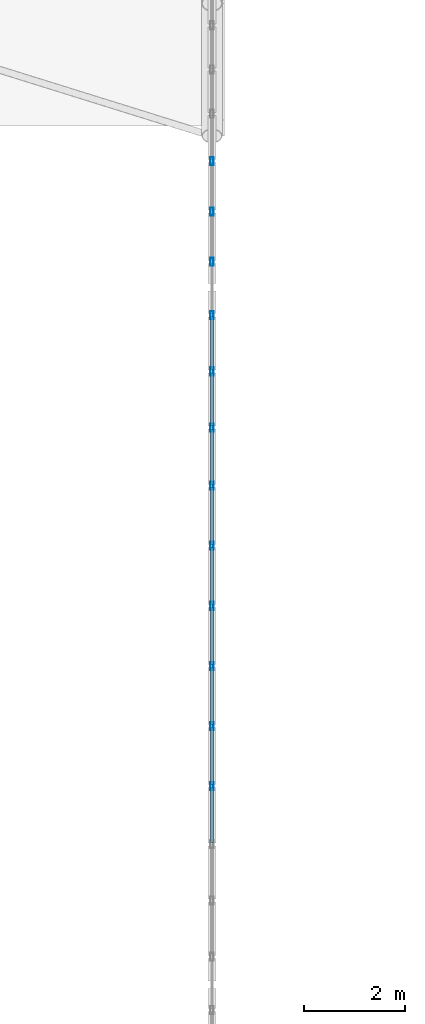
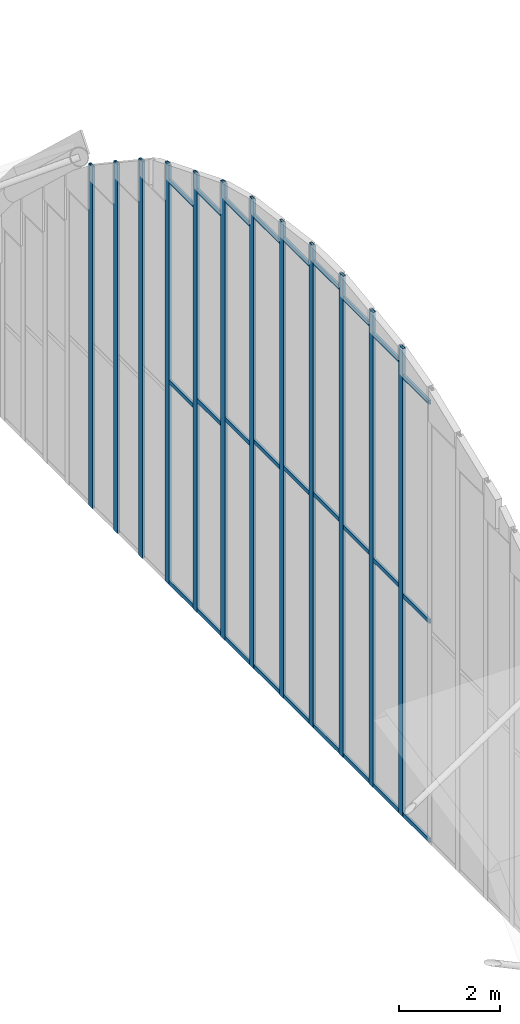
# One storey, part 25 of 77: 39 members, 1 element without a shape of its own.
"""IFC4 building model written with IfcOpenShell, lengths in metres."""

from ifc_helpers import new_model, si_unit, direction, frame, origin, origin_2d, place, context, subcontext, project, spatial, hollow_rectangle, extrude, material, material_profile, profile_set, type_object, element, aggregate, save


model = new_model("IFC4")

# Units and contexts
model_context = context("Model", 3, precision=1e-05, world=origin(), true_north=direction((0.0, 1.0)))
body_context = subcontext(model_context, "Body", "Model", "MODEL_VIEW")
ifc_project = project(units=[si_unit("LENGTHUNIT", "METRE"), si_unit("AREAUNIT", "SQUARE_METRE"), si_unit("VOLUMEUNIT", "CUBIC_METRE"), si_unit("PLANEANGLEUNIT", "RADIAN"), si_unit("MASSUNIT", "GRAM", prefix="KILO")], contexts=[model_context])

# Site, building, storey
site_placement = place(None, origin())
site = spatial("IfcSite", under=ifc_project, at=site_placement, CompositionType="ELEMENT")
building_placement = place(site_placement, origin())
building = spatial("IfcBuilding", under=site, at=building_placement, Name="Catenary Quay Ferry Terminal", CompositionType="ELEMENT")
storey_placement = place(building_placement, frame((0.0, 0.0, 10.800048828125)))
storey = spatial("IfcBuildingStorey", under=building, at=storey_placement, Name="L02", CompositionType="ELEMENT", Elevation=10.800048828125)

# Curtain wall, members
ifc_material_1 = material(Name="Aluminium and glass", Category="aluminium")
curtain_wall_type = type_object("IfcCurtainWallType", Name="CWA", PredefinedType="NOTDEFINED", material=ifc_material_1)
curtain_wall_placement = place(storey_placement, origin())
curtain_wall = element("IfcCurtainWall", 1, at=curtain_wall_placement, inside=storey, type_object=curtain_wall_type, Name="Arch departure hall curtain wall CW21", PredefinedType="NOTDEFINED")
ifc_material_2 = material(Name="Aluminium", Category="aluminium")
ifc_material_profile_1 = material_profile(ifc_material_2, hollow_rectangle(XDim=0.06005859375, YDim=0.159912109375, WallThickness=0.006103515625, at=origin_2d()), Name="MU5")
ifc_profile_set_1 = profile_set([ifc_material_profile_1], Name="Aluminium")
member_type_1 = type_object("IfcMemberType", Name="MU5", PredefinedType="MULLION", material=ifc_profile_set_1)
member_1_placement = place(storey_placement, frame((92.39990234375, 123.0341796875, 0.0), z_axis=(0.0, 0.0, 1.0), x_axis=(-1.0, 0.0, 0.0)))
member_1 = element("IfcMember", 2, at=member_1_placement, type_object=member_type_1, Name="CW21 mullion 15", PredefinedType="MULLION", context=body_context, shape_type="SweptSolid", body=[
    extrude(hollow_rectangle(XDim=0.06005859375, YDim=0.159912109375, WallThickness=0.006103515625, at=origin_2d()), origin(), (0.0, 0.0, 1.0), 11.38330078125),
])
member_2_placement = place(storey_placement, frame((92.39990234375, 124.220458984375, 0.0), z_axis=(0.0, 0.0, 1.0), x_axis=(-1.0, 0.0, 0.0)))
member_2 = element("IfcMember", 3, at=member_2_placement, type_object=member_type_1, Name="CW21 mullion 16", PredefinedType="MULLION", context=body_context, shape_type="SweptSolid", body=[
    extrude(hollow_rectangle(XDim=0.06005859375, YDim=0.159912109375, WallThickness=0.006103515625, at=origin_2d()), origin(), (0.0, 0.0, 1.0), 11.5419921875),
])
member_3_placement = place(storey_placement, frame((92.39990234375, 125.40673828125, 0.0), z_axis=(0.0, 0.0, 1.0), x_axis=(-1.0, 0.0, 0.0)))
member_3 = element("IfcMember", 4, at=member_3_placement, type_object=member_type_1, Name="CW21 mullion 17", PredefinedType="MULLION", context=body_context, shape_type="SweptSolid", body=[
    extrude(hollow_rectangle(XDim=0.06005859375, YDim=0.159912109375, WallThickness=0.006103515625, at=origin_2d()), origin(), (0.0, 0.0, 1.0), 11.70068359375),
])
member_4_placement = place(storey_placement, frame((92.39990234375, 126.59326171875, 0.0), z_axis=(0.0, 0.0, 1.0), x_axis=(-1.0, 0.0, 0.0)))
member_4 = element("IfcMember", 5, at=member_4_placement, type_object=member_type_1, Name="CW21 mullion 18", PredefinedType="MULLION", context=body_context, shape_type="SweptSolid", body=[
    extrude(hollow_rectangle(XDim=0.06005859375, YDim=0.159912109375, WallThickness=0.006103515625, at=origin_2d()), origin(), (0.0, 0.0, 1.0), 11.70068359375),
])
member_5_placement = place(storey_placement, frame((92.39990234375, 127.779541015625, 0.0), z_axis=(0.0, 0.0, 1.0), x_axis=(-1.0, 0.0, 0.0)))
member_5 = element("IfcMember", 6, at=member_5_placement, type_object=member_type_1, Name="CW21 mullion 19", PredefinedType="MULLION", context=body_context, shape_type="SweptSolid", body=[
    extrude(hollow_rectangle(XDim=0.06005859375, YDim=0.159912109375, WallThickness=0.006103515625, at=origin_2d()), origin(), (0.0, 0.0, 1.0), 11.5419921875),
])
member_6_placement = place(storey_placement, frame((92.39990234375, 128.9658203125, 0.0), z_axis=(0.0, 0.0, 1.0), x_axis=(-1.0, 0.0, 0.0)))
member_6 = element("IfcMember", 7, at=member_6_placement, type_object=member_type_1, Name="CW21 mullion 20", PredefinedType="MULLION", context=body_context, shape_type="SweptSolid", body=[
    extrude(hollow_rectangle(XDim=0.06005859375, YDim=0.159912109375, WallThickness=0.006103515625, at=origin_2d()), origin(), (0.0, 0.0, 1.0), 11.38330078125),
])
member_7_placement = place(storey_placement, frame((92.39990234375, 130.1142578125, 0.0), z_axis=(0.0, 0.0, 1.0), x_axis=(-1.0, 0.0, 0.0)))
member_7 = element("IfcMember", 8, at=member_7_placement, type_object=member_type_1, Name="CW21 mullion 21", PredefinedType="MULLION", context=body_context, shape_type="SweptSolid", body=[
    extrude(hollow_rectangle(XDim=0.06005859375, YDim=0.159912109375, WallThickness=0.006103515625, at=origin_2d()), origin(), (0.0, 0.0, 1.0), 11.0810546875),
])
member_8_placement = place(storey_placement, frame((92.39990234375, 131.224609375, 0.0), z_axis=(0.0, 0.0, 1.0), x_axis=(-1.0, 0.0, 0.0)))
member_8 = element("IfcMember", 9, at=member_8_placement, type_object=member_type_1, Name="CW21 mullion 22", PredefinedType="MULLION", context=body_context, shape_type="SweptSolid", body=[
    extrude(hollow_rectangle(XDim=0.06005859375, YDim=0.159912109375, WallThickness=0.006103515625, at=origin_2d()), origin(), (0.0, 0.0, 1.0), 10.635498046875),
])
member_9_placement = place(storey_placement, frame((92.39990234375, 132.334716796875, 0.0), z_axis=(0.0, 0.0, 1.0), x_axis=(-1.0, 0.0, 0.0)))
member_9 = element("IfcMember", 10, at=member_9_placement, type_object=member_type_1, Name="CW21 mullion 23", PredefinedType="MULLION", context=body_context, shape_type="SweptSolid", body=[
    extrude(hollow_rectangle(XDim=0.06005859375, YDim=0.159912109375, WallThickness=0.006103515625, at=origin_2d()), origin(), (0.0, 0.0, 1.0), 10.189697265625),
])
member_10_placement = place(storey_placement, frame((92.39990234375, 133.387451171875, 0.0), z_axis=(0.0, 0.0, 1.0), x_axis=(-1.0, 0.0, 0.0)))
member_10 = element("IfcMember", 11, at=member_10_placement, type_object=member_type_1, Name="CW21 mullion 24", PredefinedType="MULLION", context=body_context, shape_type="SweptSolid", body=[
    extrude(hollow_rectangle(XDim=0.06005859375, YDim=0.159912109375, WallThickness=0.006103515625, at=origin_2d()), origin(), (0.0, 0.0, 1.0), 9.634033203125),
])
member_11_placement = place(storey_placement, frame((92.39990234375, 134.382080078125, 0.0), z_axis=(0.0, 0.0, 1.0), x_axis=(-1.0, 0.0, 0.0)))
member_11 = element("IfcMember", 12, at=member_11_placement, type_object=member_type_1, Name="CW21 mullion 25", PredefinedType="MULLION", context=body_context, shape_type="SweptSolid", body=[
    extrude(hollow_rectangle(XDim=0.06005859375, YDim=0.159912109375, WallThickness=0.006103515625, at=origin_2d()), origin(), (0.0, 0.0, 1.0), 8.968505859375),
])
member_12_placement = place(storey_placement, frame((92.39990234375, 135.376708984375, 0.0), z_axis=(0.0, 0.0, 1.0), x_axis=(-1.0, 0.0, 0.0)))
member_12 = element("IfcMember", 13, at=member_12_placement, type_object=member_type_1, Name="CW21 mullion 26", PredefinedType="MULLION", context=body_context, shape_type="SweptSolid", body=[
    extrude(hollow_rectangle(XDim=0.06005859375, YDim=0.159912109375, WallThickness=0.006103515625, at=origin_2d()), origin(), (0.0, 0.0, 1.0), 8.302734375),
])
ifc_material_3 = material(Name="Aluminium", Category="aluminium")
ifc_material_profile_2 = material_profile(ifc_material_3, hollow_rectangle(XDim=0.050048828125, YDim=0.10009765625, WallThickness=0.00390625, at=origin_2d()), Name="TR4")
ifc_profile_set_2 = profile_set([ifc_material_profile_2], Name="Aluminium")
member_type_2 = type_object("IfcMemberType", Name="TR4", PredefinedType="USERDEFINED", material=ifc_profile_set_2)
member_13_placement = place(storey_placement, frame((92.39990234375, 121.915771484375, 0.050048828125), z_axis=(0.0, 1.0, 0.0), x_axis=(-1.0, 0.0, 0.0)))
member_13 = element("IfcMember", 14, at=member_13_placement, type_object=member_type_2, Name="CW21 transom 14.1", ObjectType="TRANSOM", PredefinedType="USERDEFINED", context=body_context, shape_type="SweptSolid", body=[
    extrude(hollow_rectangle(XDim=0.050048828125, YDim=0.10009765625, WallThickness=0.00390625, at=origin_2d()), origin(), (0.0, 0.0, 1.0), 1.08837890625),
])
member_14_placement = place(storey_placement, frame((92.39990234375, 121.915771484375, 5.37060546875), z_axis=(0.0, 1.0, 0.0), x_axis=(-1.0, 0.0, 0.0)))
member_14 = element("IfcMember", 15, at=member_14_placement, type_object=member_type_2, Name="CW21 transom 14.2", ObjectType="TRANSOM", PredefinedType="USERDEFINED", context=body_context, shape_type="SweptSolid", body=[
    extrude(hollow_rectangle(XDim=0.050048828125, YDim=0.10009765625, WallThickness=0.00390625, at=origin_2d()), origin(), (0.0, 0.0, 1.0), 1.08837890625),
])
member_15_placement = place(storey_placement, frame((92.39990234375, 121.915771484375, 10.691162109375), z_axis=(0.0, 1.0, 0.0), x_axis=(-1.0, 0.0, 0.0)))
member_15 = element("IfcMember", 16, at=member_15_placement, type_object=member_type_2, Name="CW21 transom 14.3", ObjectType="TRANSOM", PredefinedType="USERDEFINED", context=body_context, shape_type="SweptSolid", body=[
    extrude(hollow_rectangle(XDim=0.050048828125, YDim=0.10009765625, WallThickness=0.00390625, at=origin_2d()), origin(), (0.0, 0.0, 1.0), 1.08837890625),
])
member_16_placement = place(storey_placement, frame((92.39990234375, 123.064208984375, 0.050048828125), z_axis=(0.0, 1.0, 0.0), x_axis=(-1.0, 0.0, 0.0)))
member_16 = element("IfcMember", 17, at=member_16_placement, type_object=member_type_2, Name="CW21 transom 15.1", ObjectType="TRANSOM", PredefinedType="USERDEFINED", context=body_context, shape_type="SweptSolid", body=[
    extrude(hollow_rectangle(XDim=0.050048828125, YDim=0.10009765625, WallThickness=0.00390625, at=origin_2d()), origin(), (0.0, 0.0, 1.0), 1.126220703125),
])
member_17_placement = place(storey_placement, frame((92.39990234375, 123.064208984375, 5.521728515625), z_axis=(0.0, 1.0, 0.0), x_axis=(-1.0, 0.0, 0.0)))
member_17 = element("IfcMember", 18, at=member_17_placement, type_object=member_type_2, Name="CW21 transom 15.2", ObjectType="TRANSOM", PredefinedType="USERDEFINED", context=body_context, shape_type="SweptSolid", body=[
    extrude(hollow_rectangle(XDim=0.050048828125, YDim=0.10009765625, WallThickness=0.00390625, at=origin_2d()), origin(), (0.0, 0.0, 1.0), 1.126220703125),
])
member_18_placement = place(storey_placement, frame((92.39990234375, 123.064208984375, 10.9931640625), z_axis=(0.0, 1.0, 0.0), x_axis=(-1.0, 0.0, 0.0)))
member_18 = element("IfcMember", 19, at=member_18_placement, type_object=member_type_2, Name="CW21 transom 15.3", ObjectType="TRANSOM", PredefinedType="USERDEFINED", context=body_context, shape_type="SweptSolid", body=[
    extrude(hollow_rectangle(XDim=0.050048828125, YDim=0.10009765625, WallThickness=0.00390625, at=origin_2d()), origin(), (0.0, 0.0, 1.0), 1.126220703125),
])
member_19_placement = place(storey_placement, frame((92.39990234375, 124.25048828125, 0.050048828125), z_axis=(0.0, 1.0, 0.0), x_axis=(-1.0, 0.0, 0.0)))
member_19 = element("IfcMember", 20, at=member_19_placement, type_object=member_type_2, Name="CW21 transom 16.1", ObjectType="TRANSOM", PredefinedType="USERDEFINED", context=body_context, shape_type="SweptSolid", body=[
    extrude(hollow_rectangle(XDim=0.050048828125, YDim=0.10009765625, WallThickness=0.00390625, at=origin_2d()), origin(), (0.0, 0.0, 1.0), 1.12646484375),
])
member_20_placement = place(storey_placement, frame((92.39990234375, 124.25048828125, 5.600830078125), z_axis=(0.0, 1.0, 0.0), x_axis=(-1.0, 0.0, 0.0)))
member_20 = element("IfcMember", 21, at=member_20_placement, type_object=member_type_2, Name="CW21 transom 16.2", ObjectType="TRANSOM", PredefinedType="USERDEFINED", context=body_context, shape_type="SweptSolid", body=[
    extrude(hollow_rectangle(XDim=0.050048828125, YDim=0.10009765625, WallThickness=0.00390625, at=origin_2d()), origin(), (0.0, 0.0, 1.0), 1.12646484375),
])
member_21_placement = place(storey_placement, frame((92.39990234375, 124.25048828125, 11.15185546875), z_axis=(0.0, 1.0, 0.0), x_axis=(-1.0, 0.0, 0.0)))
member_21 = element("IfcMember", 22, at=member_21_placement, type_object=member_type_2, Name="CW21 transom 16.3", ObjectType="TRANSOM", PredefinedType="USERDEFINED", context=body_context, shape_type="SweptSolid", body=[
    extrude(hollow_rectangle(XDim=0.050048828125, YDim=0.10009765625, WallThickness=0.00390625, at=origin_2d()), origin(), (0.0, 0.0, 1.0), 1.12646484375),
])
member_22_placement = place(storey_placement, frame((92.39990234375, 125.436767578125, 0.050048828125), z_axis=(0.0, 1.0, 0.0), x_axis=(-1.0, 0.0, 0.0)))
member_22 = element("IfcMember", 23, at=member_22_placement, type_object=member_type_2, Name="CW21 transom 17.1", ObjectType="TRANSOM", PredefinedType="USERDEFINED", context=body_context, shape_type="SweptSolid", body=[
    extrude(hollow_rectangle(XDim=0.050048828125, YDim=0.10009765625, WallThickness=0.00390625, at=origin_2d()), origin(), (0.0, 0.0, 1.0), 1.12646484375),
])
member_23_placement = place(storey_placement, frame((92.39990234375, 125.436767578125, 5.68017578125), z_axis=(0.0, 1.0, 0.0), x_axis=(-1.0, 0.0, 0.0)))
member_23 = element("IfcMember", 24, at=member_23_placement, type_object=member_type_2, Name="CW21 transom 17.2", ObjectType="TRANSOM", PredefinedType="USERDEFINED", context=body_context, shape_type="SweptSolid", body=[
    extrude(hollow_rectangle(XDim=0.050048828125, YDim=0.10009765625, WallThickness=0.00390625, at=origin_2d()), origin(), (0.0, 0.0, 1.0), 1.12646484375),
])
member_24_placement = place(storey_placement, frame((92.39990234375, 125.436767578125, 11.310546875), z_axis=(0.0, 1.0, 0.0), x_axis=(-1.0, 0.0, 0.0)))
member_24 = element("IfcMember", 25, at=member_24_placement, type_object=member_type_2, Name="CW21 transom 17.3", ObjectType="TRANSOM", PredefinedType="USERDEFINED", context=body_context, shape_type="SweptSolid", body=[
    extrude(hollow_rectangle(XDim=0.050048828125, YDim=0.10009765625, WallThickness=0.00390625, at=origin_2d()), origin(), (0.0, 0.0, 1.0), 1.12646484375),
])
member_25_placement = place(storey_placement, frame((92.39990234375, 126.623046875, 0.050048828125), z_axis=(0.0, 1.0, 0.0), x_axis=(-1.0, 0.0, 0.0)))
member_25 = element("IfcMember", 26, at=member_25_placement, type_object=member_type_2, Name="CW21 transom 18.1", ObjectType="TRANSOM", PredefinedType="USERDEFINED", context=body_context, shape_type="SweptSolid", body=[
    extrude(hollow_rectangle(XDim=0.050048828125, YDim=0.10009765625, WallThickness=0.00390625, at=origin_2d()), origin(), (0.0, 0.0, 1.0), 1.12646484375),
])
member_26_placement = place(storey_placement, frame((92.39990234375, 126.623046875, 5.600830078125), z_axis=(0.0, 1.0, 0.0), x_axis=(-1.0, 0.0, 0.0)))
member_26 = element("IfcMember", 27, at=member_26_placement, type_object=member_type_2, Name="CW21 transom 18.2", ObjectType="TRANSOM", PredefinedType="USERDEFINED", context=body_context, shape_type="SweptSolid", body=[
    extrude(hollow_rectangle(XDim=0.050048828125, YDim=0.10009765625, WallThickness=0.00390625, at=origin_2d()), origin(), (0.0, 0.0, 1.0), 1.12646484375),
])
member_27_placement = place(storey_placement, frame((92.39990234375, 126.623046875, 11.15185546875), z_axis=(0.0, 1.0, 0.0), x_axis=(-1.0, 0.0, 0.0)))
member_27 = element("IfcMember", 28, at=member_27_placement, type_object=member_type_2, Name="CW21 transom 18.3", ObjectType="TRANSOM", PredefinedType="USERDEFINED", context=body_context, shape_type="SweptSolid", body=[
    extrude(hollow_rectangle(XDim=0.050048828125, YDim=0.10009765625, WallThickness=0.00390625, at=origin_2d()), origin(), (0.0, 0.0, 1.0), 1.12646484375),
])
member_28_placement = place(storey_placement, frame((92.39990234375, 127.8095703125, 0.050048828125), z_axis=(0.0, 1.0, 0.0), x_axis=(-1.0, 0.0, 0.0)))
member_28 = element("IfcMember", 29, at=member_28_placement, type_object=member_type_2, Name="CW21 transom 19.1", ObjectType="TRANSOM", PredefinedType="USERDEFINED", context=body_context, shape_type="SweptSolid", body=[
    extrude(hollow_rectangle(XDim=0.050048828125, YDim=0.10009765625, WallThickness=0.00390625, at=origin_2d()), origin(), (0.0, 0.0, 1.0), 1.126220703125),
])
member_29_placement = place(storey_placement, frame((92.39990234375, 127.8095703125, 5.521728515625), z_axis=(0.0, 1.0, 0.0), x_axis=(-1.0, 0.0, 0.0)))
member_29 = element("IfcMember", 30, at=member_29_placement, type_object=member_type_2, Name="CW21 transom 19.2", ObjectType="TRANSOM", PredefinedType="USERDEFINED", context=body_context, shape_type="SweptSolid", body=[
    extrude(hollow_rectangle(XDim=0.050048828125, YDim=0.10009765625, WallThickness=0.00390625, at=origin_2d()), origin(), (0.0, 0.0, 1.0), 1.126220703125),
])
member_30_placement = place(storey_placement, frame((92.39990234375, 127.8095703125, 10.9931640625), z_axis=(0.0, 1.0, 0.0), x_axis=(-1.0, 0.0, 0.0)))
member_30 = element("IfcMember", 31, at=member_30_placement, type_object=member_type_2, Name="CW21 transom 19.3", ObjectType="TRANSOM", PredefinedType="USERDEFINED", context=body_context, shape_type="SweptSolid", body=[
    extrude(hollow_rectangle(XDim=0.050048828125, YDim=0.10009765625, WallThickness=0.00390625, at=origin_2d()), origin(), (0.0, 0.0, 1.0), 1.126220703125),
])
member_31_placement = place(storey_placement, frame((92.39990234375, 128.995849609375, 0.050048828125), z_axis=(0.0, 1.0, 0.0), x_axis=(-1.0, 0.0, 0.0)))
member_31 = element("IfcMember", 32, at=member_31_placement, type_object=member_type_2, Name="CW21 transom 20.1", ObjectType="TRANSOM", PredefinedType="USERDEFINED", context=body_context, shape_type="SweptSolid", body=[
    extrude(hollow_rectangle(XDim=0.050048828125, YDim=0.10009765625, WallThickness=0.00390625, at=origin_2d()), origin(), (0.0, 0.0, 1.0), 1.08837890625),
])
member_32_placement = place(storey_placement, frame((92.39990234375, 128.995849609375, 5.37060546875), z_axis=(0.0, 1.0, 0.0), x_axis=(-1.0, 0.0, 0.0)))
member_32 = element("IfcMember", 33, at=member_32_placement, type_object=member_type_2, Name="CW21 transom 20.2", ObjectType="TRANSOM", PredefinedType="USERDEFINED", context=body_context, shape_type="SweptSolid", body=[
    extrude(hollow_rectangle(XDim=0.050048828125, YDim=0.10009765625, WallThickness=0.00390625, at=origin_2d()), origin(), (0.0, 0.0, 1.0), 1.08837890625),
])
member_33_placement = place(storey_placement, frame((92.39990234375, 128.995849609375, 10.691162109375), z_axis=(0.0, 1.0, 0.0), x_axis=(-1.0, 0.0, 0.0)))
member_33 = element("IfcMember", 34, at=member_33_placement, type_object=member_type_2, Name="CW21 transom 20.3", ObjectType="TRANSOM", PredefinedType="USERDEFINED", context=body_context, shape_type="SweptSolid", body=[
    extrude(hollow_rectangle(XDim=0.050048828125, YDim=0.10009765625, WallThickness=0.00390625, at=origin_2d()), origin(), (0.0, 0.0, 1.0), 1.08837890625),
])
member_34_placement = place(storey_placement, frame((92.39990234375, 130.144287109375, 0.050048828125), z_axis=(0.0, 1.0, 0.0), x_axis=(-1.0, 0.0, 0.0)))
member_34 = element("IfcMember", 35, at=member_34_placement, type_object=member_type_2, Name="CW21 transom 21.1", ObjectType="TRANSOM", PredefinedType="USERDEFINED", context=body_context, shape_type="SweptSolid", body=[
    extrude(hollow_rectangle(XDim=0.050048828125, YDim=0.10009765625, WallThickness=0.00390625, at=origin_2d()), origin(), (0.0, 0.0, 1.0), 1.05029296875),
])
member_35_placement = place(storey_placement, frame((92.39990234375, 130.144287109375, 5.147705078125), z_axis=(0.0, 1.0, 0.0), x_axis=(-1.0, 0.0, 0.0)))
member_35 = element("IfcMember", 36, at=member_35_placement, type_object=member_type_2, Name="CW21 transom 21.2", ObjectType="TRANSOM", PredefinedType="USERDEFINED", context=body_context, shape_type="SweptSolid", body=[
    extrude(hollow_rectangle(XDim=0.050048828125, YDim=0.10009765625, WallThickness=0.00390625, at=origin_2d()), origin(), (0.0, 0.0, 1.0), 1.05029296875),
])
member_36_placement = place(storey_placement, frame((92.39990234375, 130.144287109375, 10.245361328125), z_axis=(0.0, 1.0, 0.0), x_axis=(-1.0, 0.0, 0.0)))
member_36 = element("IfcMember", 37, at=member_36_placement, type_object=member_type_2, Name="CW21 transom 21.3", ObjectType="TRANSOM", PredefinedType="USERDEFINED", context=body_context, shape_type="SweptSolid", body=[
    extrude(hollow_rectangle(XDim=0.050048828125, YDim=0.10009765625, WallThickness=0.00390625, at=origin_2d()), origin(), (0.0, 0.0, 1.0), 1.05029296875),
])
member_37_placement = place(storey_placement, frame((92.39990234375, 131.25439453125, 0.050048828125), z_axis=(0.0, 1.0, 0.0), x_axis=(-1.0, 0.0, 0.0)))
member_37 = element("IfcMember", 38, at=member_37_placement, type_object=member_type_2, Name="CW21 transom 22.1", ObjectType="TRANSOM", PredefinedType="USERDEFINED", context=body_context, shape_type="SweptSolid", body=[
    extrude(hollow_rectangle(XDim=0.050048828125, YDim=0.10009765625, WallThickness=0.00390625, at=origin_2d()), origin(), (0.0, 0.0, 1.0), 1.050537109375),
])
member_38_placement = place(storey_placement, frame((92.39990234375, 131.25439453125, 4.9248046875), z_axis=(0.0, 1.0, 0.0), x_axis=(-1.0, 0.0, 0.0)))
member_38 = element("IfcMember", 39, at=member_38_placement, type_object=member_type_2, Name="CW21 transom 22.2", ObjectType="TRANSOM", PredefinedType="USERDEFINED", context=body_context, shape_type="SweptSolid", body=[
    extrude(hollow_rectangle(XDim=0.050048828125, YDim=0.10009765625, WallThickness=0.00390625, at=origin_2d()), origin(), (0.0, 0.0, 1.0), 1.050537109375),
])
member_39_placement = place(storey_placement, frame((92.39990234375, 131.25439453125, 9.7998046875), z_axis=(0.0, 1.0, 0.0), x_axis=(-1.0, 0.0, 0.0)))
member_39 = element("IfcMember", 40, at=member_39_placement, type_object=member_type_2, Name="CW21 transom 22.3", ObjectType="TRANSOM", PredefinedType="USERDEFINED", context=body_context, shape_type="SweptSolid", body=[
    extrude(hollow_rectangle(XDim=0.050048828125, YDim=0.10009765625, WallThickness=0.00390625, at=origin_2d()), origin(), (0.0, 0.0, 1.0), 1.050537109375),
])
aggregate(curtain_wall, [member_1, member_2, member_3, member_4, member_5, member_6, member_7, member_8, member_9, member_10, member_11, member_12, member_13, member_14, member_15, member_16, member_17, member_18, member_19, member_20, member_21, member_22, member_23, member_24, member_25, member_26, member_27, member_28, member_29, member_30, member_31, member_32, member_33, member_34, member_35, member_36, member_37, member_38, member_39])

save(model, "model.ifc")
